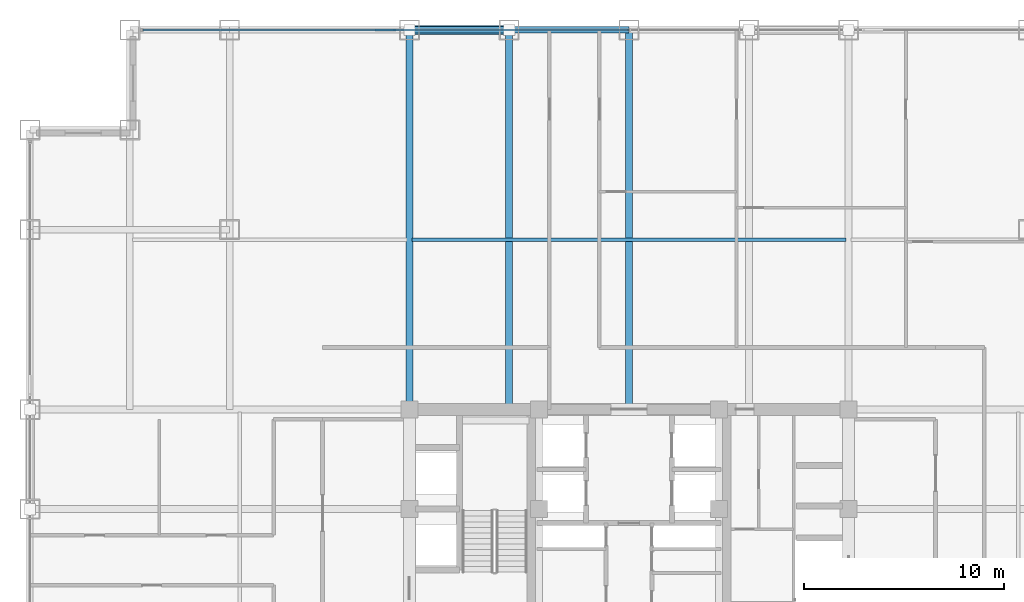
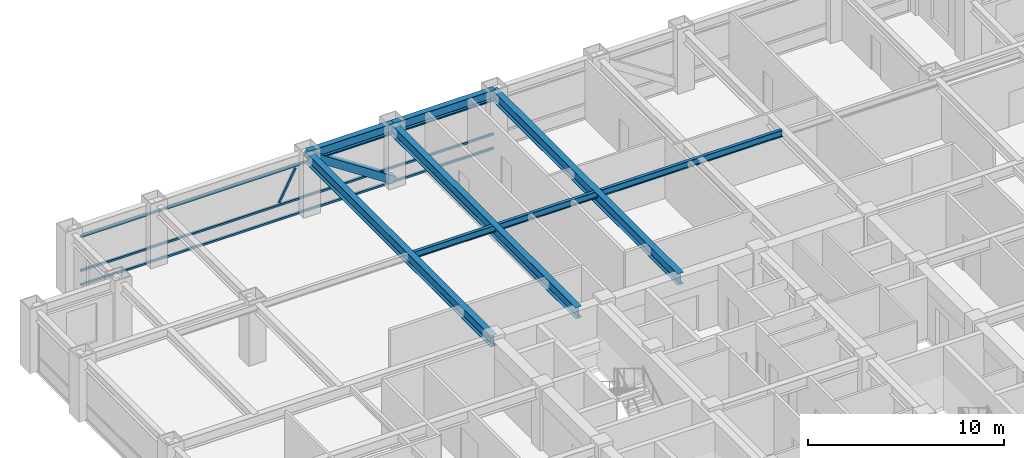
# One storey, part 15 of 25: 6 beams, 5 members, 1 element without a shape of its own.
"""IFC4 building model written with IfcOpenShell, lengths in metres."""

from ifc_helpers import new_model, si_unit, direction, frame, origin, origin_2d, place, context, subcontext, project, spatial, hollow_rectangle, i_section, extrude, source, transform, mapped, material, material_profile, profile_set, type_object, element, aggregate, save


model = new_model("IFC4")

# Units and contexts
model_context = context("Model", 3, precision=1e-05, world=origin(), true_north=direction((0.0, 1.0)))
body_context = subcontext(model_context, "Body", "Model", "MODEL_VIEW")
ifc_project = project(units=[si_unit("LENGTHUNIT", "METRE"), si_unit("AREAUNIT", "SQUARE_METRE"), si_unit("VOLUMEUNIT", "CUBIC_METRE"), si_unit("PLANEANGLEUNIT", "RADIAN"), si_unit("MASSUNIT", "GRAM", prefix="KILO")], contexts=[model_context])

# Site, building, storey
site_placement = place(None, origin())
site = spatial("IfcSite", under=ifc_project, at=site_placement, CompositionType="ELEMENT")
building_placement = place(site_placement, origin())
building = spatial("IfcBuilding", under=site, at=building_placement, Name="Khorayat Bourse Tower", CompositionType="ELEMENT")
storey_placement = place(building_placement, frame((0.0, 0.0, 255.10009765625)))
storey = spatial("IfcBuildingStorey", under=building, at=storey_placement, Name="L60", CompositionType="ELEMENT", Elevation=255.10009765625)

# Beams
ifc_material_1 = material(Name="Steel ASTM A992 Grade 50", Category="steel")
ifc_material_profile_1 = material_profile(ifc_material_1, i_section(OverallWidth=0.180908203125, OverallDepth=0.4169921875, WebThickness=0.010986328125, FlangeThickness=0.018310546875, FilletRadius=0.011962890625, at=origin_2d()), Name="W410X85")
ifc_profile_set_1 = profile_set([ifc_material_profile_1], Name="Steel ASTM A992 Grade 50")
beam_type_1 = type_object("IfcBeamType", Name="BM-JOIST-410", PredefinedType="JOIST", material=ifc_profile_set_1)
shared_shape_1 = source(origin(), body_context, "Body", "SweptSolid", [
    extrude(i_section(OverallWidth=0.180908203125, OverallDepth=0.4169921875, WebThickness=0.010986328125, FlangeThickness=0.018310546875, FilletRadius=0.011962890625, at=origin_2d()), origin(), (0.0, 0.0, 1.0), 21.740234375),
])
beam_1_placement = place(storey_placement, frame((-10.8701171875, 19.5, 3.5712890625), z_axis=(1.0, 0.0, 0.0), x_axis=(0.0, 1.0, 0.0)))
element("IfcBeam", 1, at=beam_1_placement, inside=storey, type_object=beam_type_1, Name="L60 BM-JOIST-410 BM-L60-JSTX-100", PredefinedType="JOIST", context=body_context, shape_type="MappedRepresentation", body=[
    mapped(shared_shape_1, transform((0.0, 0.0, 0.0), scale=1.0)),
])
ifc_material_profile_2 = material_profile(ifc_material_1, i_section(OverallWidth=0.324951171875, OverallDepth=0.615966796875, WebThickness=0.013916015625, FlangeThickness=0.021484375, FilletRadius=0.01611328125, at=origin_2d()), Name="W610X174")
ifc_profile_set_2 = profile_set([ifc_material_profile_2], Name="Steel ASTM A992 Grade 50")
beam_type_2 = type_object("IfcBeamType", Name="BM-SPAN-610", PredefinedType="SPANDREL", material=ifc_profile_set_2)
shared_shape_2 = source(origin(), body_context, "Body", "SweptSolid", [
    extrude(i_section(OverallWidth=0.324951171875, OverallDepth=0.615966796875, WebThickness=0.013916015625, FlangeThickness=0.021484375, FilletRadius=0.01611328125, at=origin_2d()), origin(), (0.0, 0.0, 1.0), 5.0),
])
beam_2_placement = place(storey_placement, frame((-11.0, 30.0, 3.471923828125), z_axis=(1.0, 0.0, 0.0), x_axis=(0.0, 1.0, 0.0)))
element("IfcBeam", 2, at=beam_2_placement, inside=storey, type_object=beam_type_2, Name="L60 BM-SPAN-610 BM-L60-SPN-049", PredefinedType="SPANDREL", context=body_context, shape_type="MappedRepresentation", body=[
    mapped(shared_shape_2, transform((0.0, 0.0, 0.0), scale=1.0)),
])
shared_shape_3 = source(origin(), body_context, "Body", "SweptSolid", [
    extrude(i_section(OverallWidth=0.324951171875, OverallDepth=0.615966796875, WebThickness=0.013916015625, FlangeThickness=0.021484375, FilletRadius=0.01611328125, at=origin_2d()), origin(), (0.0, 0.0, 1.0), 6.0),
])
beam_3_placement = place(storey_placement, frame((-6.0, 30.0, 3.471923828125), z_axis=(1.0, 0.0, 0.0), x_axis=(0.0, 1.0, 0.0)))
element("IfcBeam", 3, at=beam_3_placement, inside=storey, type_object=beam_type_2, Name="L60 BM-SPAN-610 BM-L60-SPN-048", PredefinedType="SPANDREL", context=body_context, shape_type="MappedRepresentation", body=[
    mapped(shared_shape_3, transform((0.0, 0.0, 0.0), scale=1.0)),
])
ifc_material_profile_3 = material_profile(ifc_material_1, i_section(OverallWidth=0.35498046875, OverallDepth=0.695068359375, WebThickness=0.015380859375, FlangeThickness=0.02490234375, FilletRadius=0.01806640625, at=origin_2d()), Name="W690X217")
ifc_profile_set_3 = profile_set([ifc_material_profile_3], Name="Steel ASTM A992 Grade 50")
beam_type_3 = type_object("IfcBeamType", Name="BM-GIRD-690", PredefinedType="BEAM", material=ifc_profile_set_3)
shared_shape_4 = source(origin(), body_context, "Body", "SweptSolid", [
    extrude(i_section(OverallWidth=0.35498046875, OverallDepth=0.695068359375, WebThickness=0.015380859375, FlangeThickness=0.02490234375, FilletRadius=0.01806640625, at=origin_2d()), origin(), (0.0, 0.0, 1.0), 19.0),
])
for number, where, z_axis, x_axis, name in (
    (4, (-11.0, 11.0, 3.432373046875), (0.0, 1.0, 0.0), (-1.0, 0.0, 0.0), "L60 BM-GIRD-690 BM-L60-RADY-064"),
    (5, (-6.0, 11.0, 3.432373046875), (0.0, 1.0, 0.0), (-1.0, 0.0, 0.0), "L60 BM-GIRD-690 BM-L60-RADY-066"),
    (6, (0.0, 11.0, 3.432373046875), (0.0, 1.0, 0.0), (-1.0, 0.0, 0.0), "L60 BM-GIRD-690 BM-L60-RADY-068"),
):
    element("IfcBeam", number, at=place(storey_placement, frame(where, z_axis=z_axis, x_axis=x_axis)), inside=storey, type_object=beam_type_3, Name=name, PredefinedType="BEAM", context=body_context, shape_type="MappedRepresentation", body=[
        mapped(shared_shape_4, transform((0.0, 0.0, 0.0), scale=1.0)),
    ])

# Member
ifc_material_2 = material(Name="Steel EN 10025-4 S460M", Category="steel")
ifc_material_profile_4 = material_profile(ifc_material_2, hollow_rectangle(XDim=0.449951171875, YDim=0.449951171875, WallThickness=0.02490234375, at=origin_2d()), Name="HSS 450x450x25")
ifc_profile_set_4 = profile_set([ifc_material_profile_4], Name="Steel EN 10025-4 S460M")
member_type_1 = type_object("IfcMemberType", Name="MBR-TUBE-450", PredefinedType="BRACE", material=ifc_profile_set_4)
shared_shape_5 = source(origin(), body_context, "Body", "SweptSolid", [
    extrude(hollow_rectangle(XDim=0.449951171875, YDim=0.449951171875, WallThickness=0.02490234375, at=origin_2d()), origin(), (0.0, 0.0, 1.0), 5.979736328125),
])
member_1_placement = place(storey_placement, frame((-11.0, 30.0, 3.52978515625), z_axis=(0.836160261256, 0.0, -0.548485202623), x_axis=(0.0, 1.0, 0.0)))
element("IfcMember", 7, at=member_1_placement, inside=storey, type_object=member_type_1, Name="L60 Perimeter Tube Brace 03", PredefinedType="BRACE", context=body_context, shape_type="MappedRepresentation", body=[
    mapped(shared_shape_5, transform((0.0, 0.0, 0.0), scale=1.0)),
])

# Curtain wall, members
ifc_material_3 = material(Name="Aluminium EN AW-6063 T6", Category="aluminium")
curtain_wall_type = type_object("IfcCurtainWallType", Name="CW-SYS-03", PredefinedType="NOTDEFINED", material=ifc_material_3)
curtain_wall_placement = place(storey_placement, origin())
curtain_wall = element("IfcCurtainWall", 8, at=curtain_wall_placement, inside=storey, type_object=curtain_wall_type, Name="L60 Curtain Wall CW-L60-N1", PredefinedType="NOTDEFINED")
ifc_material_profile_5 = material_profile(ifc_material_3, hollow_rectangle(XDim=0.1201171875, YDim=0.1201171875, WallThickness=0.0048828125, at=origin_2d()), Name="ALU 120x120x5")
ifc_profile_set_5 = profile_set([ifc_material_profile_5], Name="Aluminium EN AW-6063 T6")
member_type_2 = type_object("IfcMemberType", Name="CWM-DIAG-120", PredefinedType="MULLION", material=ifc_profile_set_5)
shared_shape_6 = source(origin(), body_context, "Body", "SweptSolid", [
    extrude(hollow_rectangle(XDim=0.1201171875, YDim=0.1201171875, WallThickness=0.0048828125, at=origin_2d()), origin(), (0.0, 0.0, 1.0), 2.079345703125),
])
member_2_placement = place(storey_placement, frame((-12.67919921875, 30.0, 1.08984375), z_axis=(0.465760949701, 0.0, 0.884910581773), x_axis=(0.0, 1.0, 0.0)))
member_2 = element("IfcMember", 9, at=member_2_placement, type_object=member_type_2, Name="CW-L60-N1 Faceted Diagonal Mullion 1", PredefinedType="MULLION", context=body_context, shape_type="MappedRepresentation", body=[
    mapped(shared_shape_6, transform((0.0, 0.0, 0.0), scale=1.0)),
])
ifc_material_profile_6 = material_profile(ifc_material_3, hollow_rectangle(XDim=0.1201171875, YDim=0.1201171875, WallThickness=0.0048828125, at=origin_2d()), Name="ALU 120x120x5")
ifc_profile_set_6 = profile_set([ifc_material_profile_6], Name="Aluminium EN AW-6063 T6")
member_type_3 = type_object("IfcMemberType", Name="CWT-HORZ-120", PredefinedType="USERDEFINED", material=ifc_profile_set_6)
shared_shape_7 = source(origin(), body_context, "Body", "SweptSolid", [
    extrude(hollow_rectangle(XDim=0.1201171875, YDim=0.1201171875, WallThickness=0.0048828125, at=origin_2d()), origin(), (0.0, 0.0, 1.0), 24.27001953125),
])
member_3_placement = place(storey_placement, frame((-24.330078125, 30.0, 0.059814453125), z_axis=(1.0, 0.0, 0.0), x_axis=(0.0, 1.0, 0.0)))
member_3 = element("IfcMember", 10, at=member_3_placement, type_object=member_type_3, Name="CW-L60-N1 Horizontal Transom 1-1", ObjectType="TRANSOM", PredefinedType="USERDEFINED", context=body_context, shape_type="MappedRepresentation", body=[
    mapped(shared_shape_7, transform((0.0, 0.0, 0.0), scale=1.0)),
])
member_4_placement = place(storey_placement, frame((-24.330078125, 30.0, 0.949951171875), z_axis=(1.0, 0.0, 0.0), x_axis=(0.0, 1.0, 0.0)))
member_4 = element("IfcMember", 11, at=member_4_placement, type_object=member_type_3, Name="CW-L60-N1 Horizontal Transom 1-2", ObjectType="TRANSOM", PredefinedType="USERDEFINED", context=body_context, shape_type="MappedRepresentation", body=[
    mapped(shared_shape_7, transform((0.0, 0.0, 0.0), scale=1.0)),
])
member_5_placement = place(storey_placement, frame((-24.330078125, 30.0, 3.06982421875), z_axis=(1.0, 0.0, 0.0), x_axis=(0.0, 1.0, 0.0)))
member_5 = element("IfcMember", 12, at=member_5_placement, type_object=member_type_3, Name="CW-L60-N1 Horizontal Transom 1-3", ObjectType="TRANSOM", PredefinedType="USERDEFINED", context=body_context, shape_type="MappedRepresentation", body=[
    mapped(shared_shape_7, transform((0.0, 0.0, 0.0), scale=1.0)),
])
aggregate(curtain_wall, [member_3, member_4, member_5, member_2])

save(model, "model.ifc")
